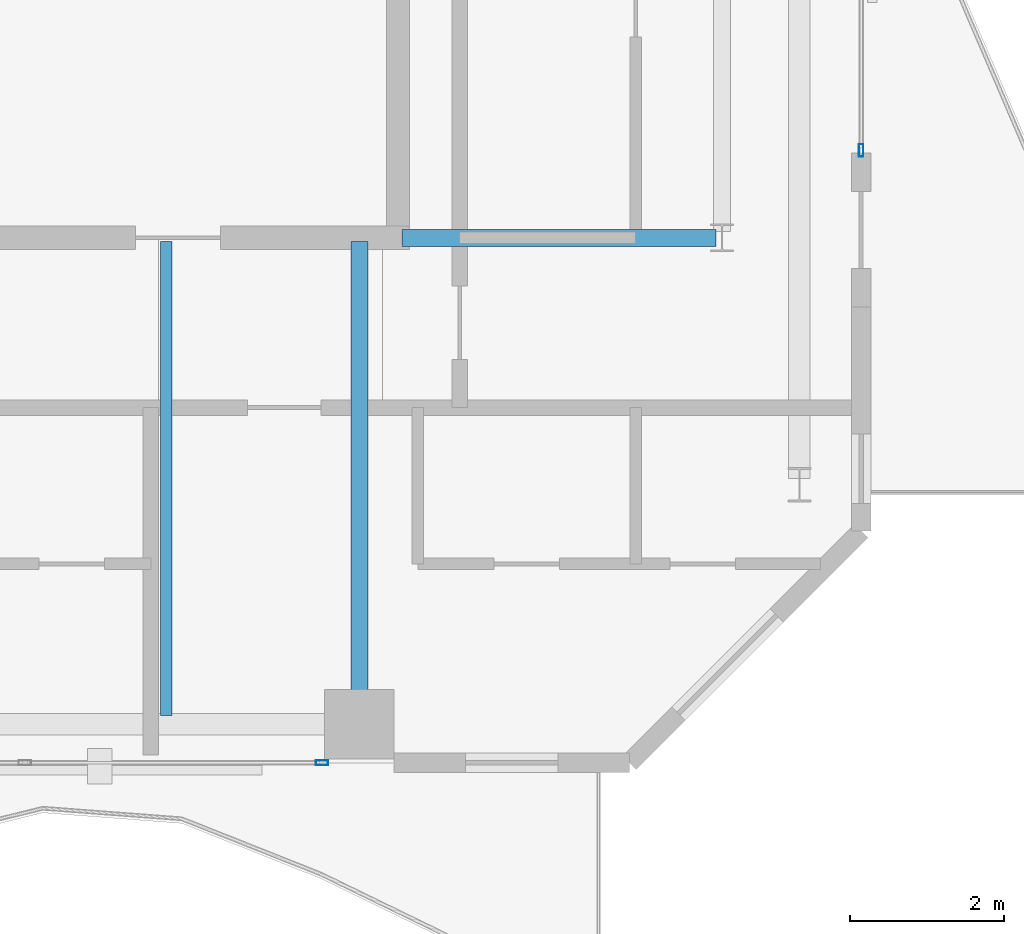
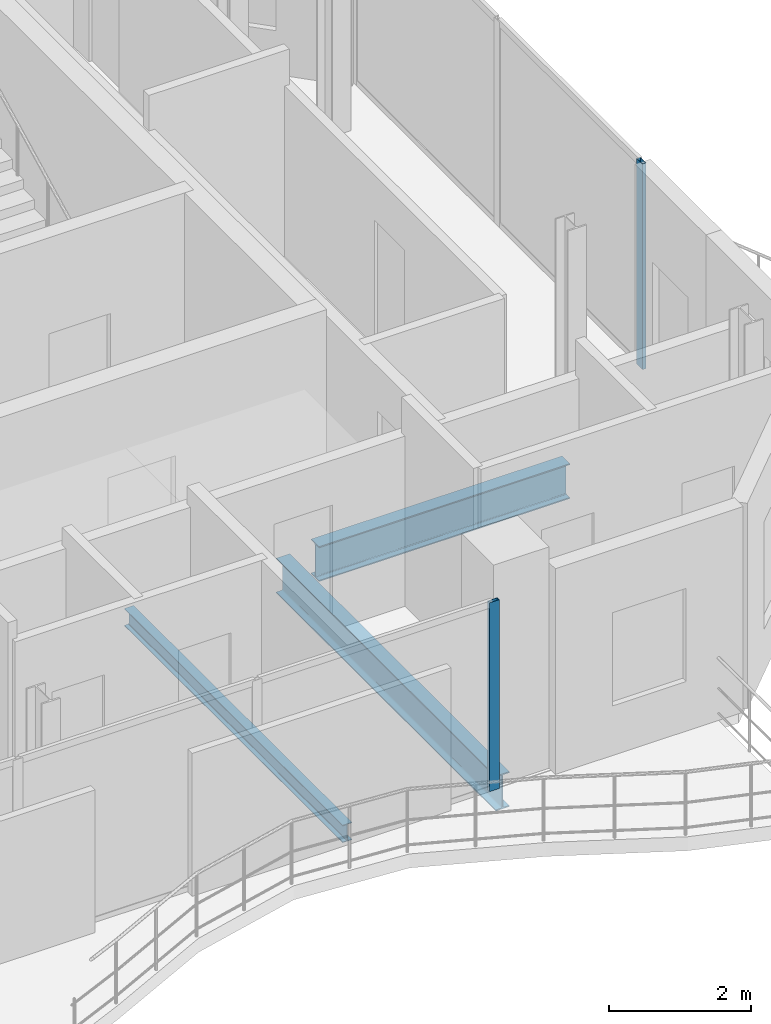
# One storey, part 14 of 24: 3 beams, 2 members, 2 elements without a shape of their own.
"""IFC4 building model written with IfcOpenShell, lengths in metres."""

from ifc_helpers import new_model, si_unit, direction, frame, origin, origin_2d, place, context, subcontext, project, spatial, hollow_rectangle, i_section, extrude, material, layer, layer_set, material_profile, profile_set, type_object, element, aggregate, save


model = new_model("IFC4")

# Units and contexts
model_context = context("Model", 3, precision=1e-05, world=origin(), true_north=direction((0.0, 1.0)))
body_context = subcontext(model_context, "Body", "Model", "MODEL_VIEW")
ifc_project = project(units=[si_unit("LENGTHUNIT", "METRE"), si_unit("AREAUNIT", "SQUARE_METRE"), si_unit("VOLUMEUNIT", "CUBIC_METRE"), si_unit("PLANEANGLEUNIT", "RADIAN"), si_unit("MASSUNIT", "GRAM", prefix="KILO")], contexts=[model_context])

# Site, building, storey
site_placement = place(None, origin())
site = spatial("IfcSite", under=ifc_project, at=site_placement, CompositionType="ELEMENT")
building_placement = place(site_placement, origin())
building = spatial("IfcBuilding", under=site, at=building_placement, Name="Catumbela Crestline Tower", CompositionType="ELEMENT")
storey_placement = place(building_placement, frame((0.0, 0.0, 237.4)))
storey = spatial("IfcBuildingStorey", under=building, at=storey_placement, Name="L61", CompositionType="ELEMENT", Elevation=237.4)

# Beams
ifc_material_1 = material(Name="Structural steel S355J2", Category="steel")
ifc_material_profile_1 = material_profile(ifc_material_1, i_section(OverallWidth=0.22, OverallDepth=0.6, WebThickness=0.012, FlangeThickness=0.019, FilletRadius=0.024, at=origin_2d()), Name="IPE 600")
ifc_profile_set_1 = profile_set([ifc_material_profile_1], Name="Structural steel S355J2")
beam_type_1 = type_object("IfcBeamType", Name="BG-IPE600", PredefinedType="BEAM", material=ifc_profile_set_1)
beam_1_placement = place(storey_placement, frame((40.05, 30.8, -0.56), z_axis=(1.0, 0.0, 0.0), x_axis=(0.0, 1.0, 0.0)))
element("IfcBeam", 1, at=beam_1_placement, inside=storey, type_object=beam_type_1, Name="L61 Beam BM-L61-M08", PredefinedType="BEAM", context=body_context, shape_type="SweptSolid", body=[
    extrude(i_section(OverallWidth=0.22, OverallDepth=0.6, WebThickness=0.012, FlangeThickness=0.019, FilletRadius=0.024, at=origin_2d()), origin(), (0.0, 0.0, 1.0), 4.07),
])
beam_2_placement = place(storey_placement, frame((39.5, 24.58, -0.56), z_axis=(0.0, 1.0, 0.0), x_axis=(-1.0, 0.0, 0.0)))
element("IfcBeam", 2, at=beam_2_placement, inside=storey, type_object=beam_type_1, Name="L61 Beam BM-L61-SNS18", PredefinedType="BEAM", context=body_context, shape_type="SweptSolid", body=[
    extrude(i_section(OverallWidth=0.22, OverallDepth=0.6, WebThickness=0.012, FlangeThickness=0.019, FilletRadius=0.024, at=origin_2d()), origin(), (0.0, 0.0, 1.0), 6.17),
])
ifc_material_profile_2 = material_profile(ifc_material_1, i_section(OverallWidth=0.15, OverallDepth=0.3, WebThickness=0.0071, FlangeThickness=0.0107, FilletRadius=0.015, at=origin_2d()), Name="IPE 300")
ifc_profile_set_2 = profile_set([ifc_material_profile_2], Name="Structural steel S355J2")
beam_type_2 = type_object("IfcBeamType", Name="BJ-IPE300", PredefinedType="JOIST", material=ifc_profile_set_2)
beam_3_placement = place(storey_placement, frame((37.0, 24.61, -0.41), z_axis=(0.0, 1.0, 0.0), x_axis=(-1.0, 0.0, 0.0)))
element("IfcBeam", 3, at=beam_3_placement, inside=storey, type_object=beam_type_2, Name="L61 Joist JS-L61-SP26", PredefinedType="JOIST", context=body_context, shape_type="SweptSolid", body=[
    extrude(i_section(OverallWidth=0.15, OverallDepth=0.3, WebThickness=0.0071, FlangeThickness=0.0107, FilletRadius=0.015, at=origin_2d()), origin(), (0.0, 0.0, 1.0), 6.14),
])

# Curtain wall, member
ifc_material_2 = material(Name="Aluminium alloy AW-6060-T66", Category="aluminium")
ifc_layer = layer(ifc_material_2, 0.18, Name="Aluminium alloy AW-6060-T66")
ifc_layer_set = layer_set([ifc_layer], Name="Aluminium alloy AW-6060-T66")
curtain_wall_type = type_object("IfcCurtainWallType", Name="CWU-Z4", PredefinedType="USERDEFINED", material=ifc_layer_set)
curtain_wall_1_placement = place(storey_placement, origin())
curtain_wall_1 = element("IfcCurtainWall", 4, at=curtain_wall_1_placement, inside=storey, type_object=curtain_wall_type, Name="L61 Unitised Curtain Wall CW-L61-E3S2", ObjectType="UNITISED", PredefinedType="USERDEFINED")
ifc_material_profile_3 = material_profile(ifc_material_2, hollow_rectangle(XDim=0.06, YDim=0.16, WallThickness=0.004, at=origin_2d()), Name="ALU 160x60x4")
ifc_profile_set_3 = profile_set([ifc_material_profile_3], Name="Aluminium alloy AW-6060-T66")
member_type = type_object("IfcMemberType", Name="MUL-160X60", PredefinedType="MULLION", material=ifc_profile_set_3)
member_1_placement = place(storey_placement, frame((39.0175, 24.0, 0.0), z_axis=(0.0, 0.0, 1.0), x_axis=(0.0, 1.0, 0.0)))
member_1 = element("IfcMember", 5, at=member_1_placement, type_object=member_type, Name="CWU-Z4 mullion 4", PredefinedType="MULLION", context=body_context, shape_type="SweptSolid", body=[
    extrude(hollow_rectangle(XDim=0.06, YDim=0.16, WallThickness=0.004, at=origin_2d()), origin(), (0.0, 0.0, 1.0), 3.24),
])
aggregate(curtain_wall_1, [member_1])

curtain_wall_2_placement = place(storey_placement, origin())
curtain_wall_2 = element("IfcCurtainWall", 6, at=curtain_wall_2_placement, inside=storey, type_object=curtain_wall_type, Name="L61 Unitised Curtain Wall CW-L61-E5S2", ObjectType="UNITISED", PredefinedType="USERDEFINED")
member_2_placement = place(storey_placement, frame((46.0, 31.9325, 0.0), z_axis=(0.0, 0.0, 1.0), x_axis=(-1.0, 0.0, 0.0)))
member_2 = element("IfcMember", 7, at=member_2_placement, type_object=member_type, Name="CWU-Z4 mullion 1", PredefinedType="MULLION", context=body_context, shape_type="SweptSolid", body=[
    extrude(hollow_rectangle(XDim=0.06, YDim=0.16, WallThickness=0.004, at=origin_2d()), origin(), (0.0, 0.0, 1.0), 3.53),
])
aggregate(curtain_wall_2, [member_2])

save(model, "model.ifc")
